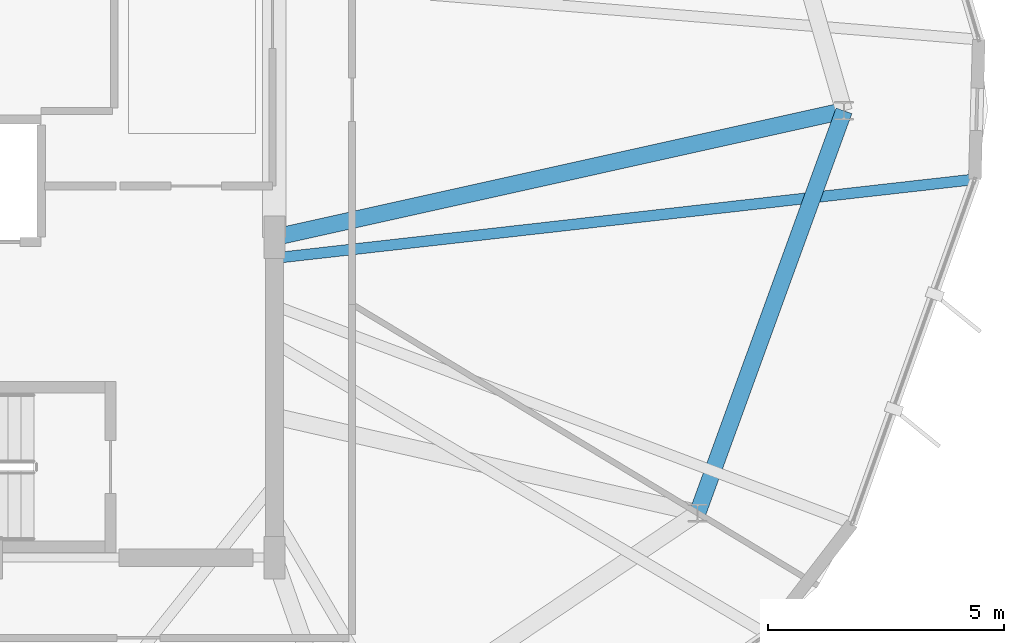
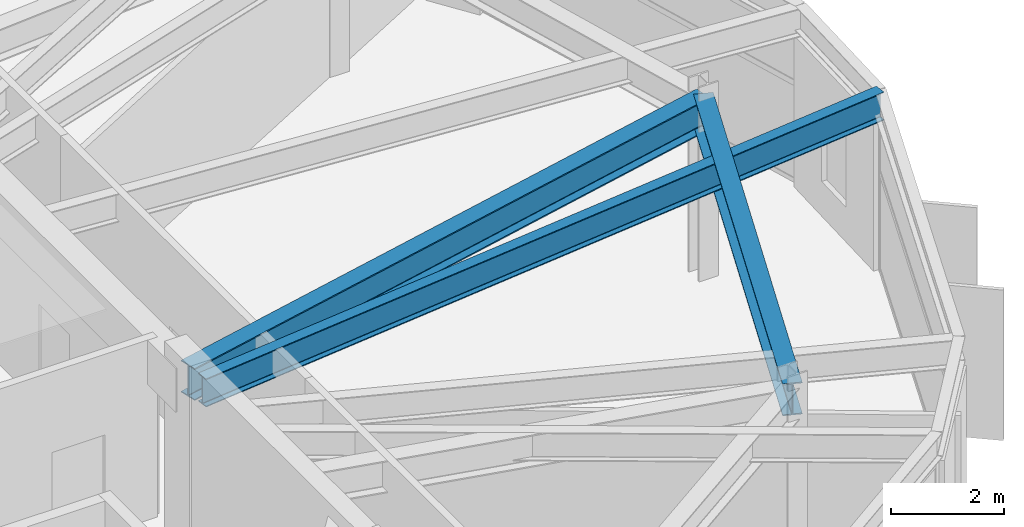
# One storey, part 8 of 20: 3 beams.
"""IFC4 building model written with IfcOpenShell, lengths in metres."""

from ifc_helpers import new_model, si_unit, direction, frame, origin, origin_2d, place, context, subcontext, project, spatial, i_section, extrude, material, material_profile, profile_set, type_object, element, save


model = new_model("IFC4")

# Units and contexts
model_context = context("Model", 3, precision=1e-05, world=origin(), true_north=direction((0.0, 1.0)))
body_context = subcontext(model_context, "Body", "Model", "MODEL_VIEW")
ifc_project = project(units=[si_unit("LENGTHUNIT", "METRE"), si_unit("AREAUNIT", "SQUARE_METRE"), si_unit("VOLUMEUNIT", "CUBIC_METRE"), si_unit("PLANEANGLEUNIT", "RADIAN"), si_unit("MASSUNIT", "GRAM", prefix="KILO")], contexts=[model_context])

# Site, building, storey
site_placement = place(None, origin())
site = spatial("IfcSite", under=ifc_project, at=site_placement, CompositionType="ELEMENT")
building_placement = place(site_placement, origin())
building = spatial("IfcBuilding", under=site, at=building_placement, Name="Soratama Intermodal Tower", CompositionType="ELEMENT")
storey_placement = place(building_placement, frame((0.0, 0.0, 293.050048828125)))
storey = spatial("IfcBuildingStorey", under=building, at=storey_placement, Name="L74", CompositionType="ELEMENT", Elevation=293.050048828125)

# Beams
ifc_material_1 = material(Name="Structural steel ASTM A992 Grade 50", Category="steel")
ifc_material_profile_1 = material_profile(ifc_material_1, i_section(OverallWidth=0.35498046875, OverallDepth=0.695068359375, WebThickness=0.015380859375, FlangeThickness=0.02490234375, FilletRadius=0.01611328125, at=origin_2d()), Name="W27X146")
ifc_profile_set_1 = profile_set([ifc_material_profile_1], Name="Structural steel ASTM A992 Grade 50")
beam_type_1 = type_object("IfcBeamType", Name="BM-RING-W27X146", PredefinedType="BEAM", material=ifc_profile_set_1)
beam_1_placement = place(storey_placement, frame((53.583984375, 15.949951171875, 3.54736328125), z_axis=(0.341989029925, 0.939703944555, 0.0), x_axis=(-0.939703944555, 0.341989029925, 0.0)))
element("IfcBeam", 1, at=beam_1_placement, inside=storey, type_object=beam_type_1, Name="BM-L74-RING-09", PredefinedType="BEAM", context=body_context, shape_type="SweptSolid", body=[
    extrude(i_section(OverallWidth=0.35498046875, OverallDepth=0.695068359375, WebThickness=0.015380859375, FlangeThickness=0.02490234375, FilletRadius=0.01611328125, at=origin_2d()), origin(), (0.0, 0.0, 1.0), 9.0849609375),
])
beam_2_placement = place(storey_placement, frame((44.60009765625, 21.800048828125, 3.54736328125), z_axis=(0.976184277327, 0.216942980298, 0.0), x_axis=(-0.216942980298, 0.976184277327, 0.0)))
element("IfcBeam", 2, at=beam_2_placement, inside=storey, type_object=beam_type_1, Name="BM-L74-RAD-10", PredefinedType="BEAM", context=body_context, shape_type="SweptSolid", body=[
    extrude(i_section(OverallWidth=0.35498046875, OverallDepth=0.695068359375, WebThickness=0.015380859375, FlangeThickness=0.02490234375, FilletRadius=0.01611328125, at=origin_2d()), origin(), (0.0, 0.0, 1.0), 12.3857421875),
])
ifc_material_2 = material(Name="Structural steel ASTM A992 Grade 50", Category="steel")
ifc_material_profile_2 = material_profile(ifc_material_2, i_section(OverallWidth=0.22900390625, OverallDepth=0.612060546875, WebThickness=0.011962890625, FlangeThickness=0.01953125, FilletRadius=0.012939453125, at=origin_2d()), Name="W24X84")
ifc_profile_set_2 = profile_set([ifc_material_profile_2], Name="Structural steel ASTM A992 Grade 50")
beam_type_2 = type_object("IfcBeamType", Name="BM-TIE-W24X84", PredefinedType="BEAM", material=ifc_profile_set_2)
beam_3_placement = place(storey_placement, frame((44.639892578125, 21.363037109375, 3.5888671875), z_axis=(0.993719041912, 0.11190382362, 0.0), x_axis=(-0.11190382362, 0.993719041912, 0.0)))
element("IfcBeam", 3, at=beam_3_placement, inside=storey, type_object=beam_type_2, Name="BM-L74-TIE1-08", PredefinedType="BEAM", context=body_context, shape_type="SweptSolid", body=[
    extrude(i_section(OverallWidth=0.22900390625, OverallDepth=0.612060546875, WebThickness=0.011962890625, FlangeThickness=0.01953125, FilletRadius=0.012939453125, at=origin_2d()), origin(), (0.0, 0.0, 1.0), 14.9228515625),
])

save(model, "model.ifc")
